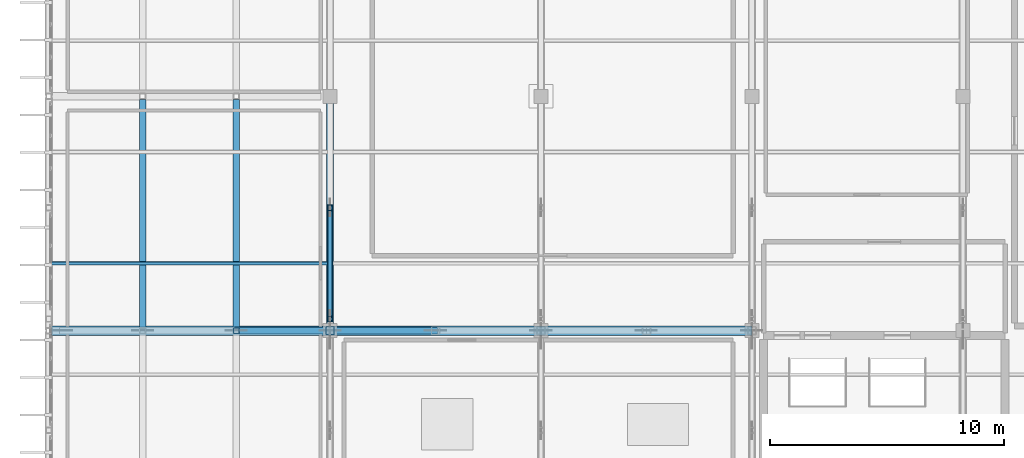
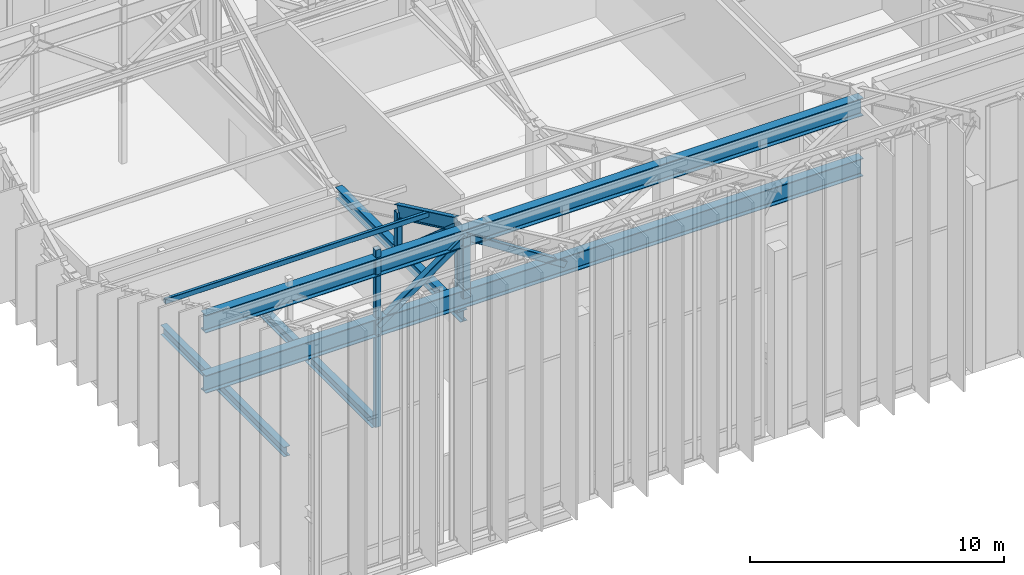
# One storey, part 11 of 68: 8 members, 6 beams.
"""IFC4 building model written with IfcOpenShell, lengths in metres."""

from ifc_helpers import new_model, si_unit, direction, frame, origin, origin_2d, place, context, subcontext, project, spatial, hollow_rectangle, i_section, extrude, material, material_profile, profile_set, type_object, element, save


model = new_model("IFC4")

# Units and contexts
model_context = context("Model", 3, precision=1e-05, world=origin(), true_north=direction((0.0, 1.0)))
body_context = subcontext(model_context, "Body", "Model", "MODEL_VIEW")
ifc_project = project(units=[si_unit("LENGTHUNIT", "METRE"), si_unit("AREAUNIT", "SQUARE_METRE"), si_unit("VOLUMEUNIT", "CUBIC_METRE"), si_unit("PLANEANGLEUNIT", "RADIAN"), si_unit("MASSUNIT", "GRAM", prefix="KILO")], contexts=[model_context])

# Site, building, storey
site_placement = place(None, origin())
site = spatial("IfcSite", under=ifc_project, at=site_placement, CompositionType="ELEMENT")
building_placement = place(site_placement, origin())
building = spatial("IfcBuilding", under=site, at=building_placement, Name="Miravela Opera House", CompositionType="ELEMENT")
storey_placement = place(building_placement, frame((0.0, 0.0, 21.760009765625)))
storey = spatial("IfcBuildingStorey", under=building, at=storey_placement, Name="L05", CompositionType="ELEMENT", Elevation=21.760009765625)

# Beams
ifc_material_1 = material(Name="Structural steel ASTM A992 Gr. 50", Category="steel")
ifc_material_profile_1 = material_profile(ifc_material_1, i_section(OverallWidth=0.280029296875, OverallDepth=0.462890625, WebThickness=0.0107421875, FlangeThickness=0.017333984375, FilletRadius=0.014892578125, at=origin_2d()), Name="W460X113")
ifc_profile_set_1 = profile_set([ifc_material_profile_1])
beam_type_1 = type_object("IfcBeamType", Name="STR-BM-W460X113", PredefinedType="BEAM", material=ifc_profile_set_1)
for number, where, z_axis, x_axis, name in (
    (1, (19.0, 46.14111328125, -0.471435546875), (0.0, 1.0, 0.0), (-1.0, 0.0, 0.0), "Cantilever Overhang Beam L05 X=19"),
    (2, (23.0, 46.14111328125, -0.471435546875), (0.0, 1.0, 0.0), (-1.0, 0.0, 0.0), "Cantilever Overhang Beam L05 X=23"),
):
    element("IfcBeam", number, at=place(storey_placement, frame(where, z_axis=z_axis, x_axis=x_axis)), inside=storey, type_object=beam_type_1, Name=name, PredefinedType="BEAM", context=body_context, shape_type="SweptSolid", body=[
        extrude(i_section(OverallWidth=0.280029296875, OverallDepth=0.462890625, WebThickness=0.0107421875, FlangeThickness=0.017333984375, FilletRadius=0.014892578125, at=origin_2d()), origin(), (0.0, 0.0, 1.0), 9.7177734375),
    ])
ifc_material_profile_2 = material_profile(ifc_material_1, i_section(OverallWidth=0.31201171875, OverallDepth=0.54296875, WebThickness=0.0126953125, FlangeThickness=0.020263671875, FilletRadius=0.01611328125, at=origin_2d()), Name="W530X150")
ifc_profile_set_2 = profile_set([ifc_material_profile_2])
beam_type_2 = type_object("IfcBeamType", Name="STR-BM-W530X150", PredefinedType="BEAM", material=ifc_profile_set_2)
beam_1_placement = place(storey_placement, frame((27.0, 46.080078125, 3.280029296875), z_axis=(0.0, 1.0, 0.0), x_axis=(-1.0, 0.0, 0.0)))
element("IfcBeam", 3, at=beam_1_placement, inside=storey, type_object=beam_type_2, Name="V-Crest Roof Truss Bottom Tie Chord X=27 Seg 2", PredefinedType="BEAM", context=body_context, shape_type="SweptSolid", body=[
    extrude(i_section(OverallWidth=0.31201171875, OverallDepth=0.54296875, WebThickness=0.0126953125, FlangeThickness=0.020263671875, FilletRadius=0.01611328125, at=origin_2d()), origin(), (0.0, 0.0, 1.0), 9.83984375),
])
ifc_material_profile_3 = material_profile(ifc_material_1, i_section(OverallWidth=0.22998046875, OverallDepth=0.616943359375, WebThickness=0.01318359375, FlangeThickness=0.022216796875, FilletRadius=0.01806640625, at=origin_2d()), Name="W610X140")
ifc_profile_set_3 = profile_set([ifc_material_profile_3])
beam_type_3 = type_object("IfcBeamType", Name="STR-BM-W610X140", PredefinedType="BEAM", material=ifc_profile_set_3)
beam_2_placement = place(storey_placement, frame((27.0, 46.5, 7.439453125), z_axis=(0.0, 0.903737838894, -0.428086344739), x_axis=(-1.0, 0.0, 0.0)))
element("IfcBeam", 4, at=beam_2_placement, inside=storey, type_object=beam_type_3, Name="V-Crest Roof Rafter Girder X=27 Seg 3", PredefinedType="BEAM", context=body_context, shape_type="SweptSolid", body=[
    extrude(i_section(OverallWidth=0.22998046875, OverallDepth=0.616943359375, WebThickness=0.01318359375, FlangeThickness=0.022216796875, FilletRadius=0.01806640625, at=origin_2d()), origin(), (0.0, 0.0, 1.0), 5.255859375),
])
ifc_material_profile_4 = material_profile(ifc_material_1, i_section(OverallWidth=0.39990234375, OverallDepth=0.85498046875, WebThickness=0.018310546875, FlangeThickness=0.029296875, FilletRadius=0.02392578125, at=origin_2d()), Name="W840X299")
ifc_profile_set_4 = profile_set([ifc_material_profile_4])
beam_type_4 = type_object("IfcBeamType", Name="STR-BM-W840X299", PredefinedType="BEAM", material=ifc_profile_set_4)
for number, where, z_axis, x_axis, name in (
    (5, (45.0, 46.0, 4.2900390625), (-1.0, 0.0, 0.0), (0.0, -1.0, 0.0), "Cantilever Truss CT-02 Attic Bottom Chord"),
    (6, (45.0, 46.0, 7.18994140625), (-1.0, 0.0, 0.0), (0.0, -1.0, 0.0), "Cantilever Truss CT-02 Attic Top Chord"),
):
    element("IfcBeam", number, at=place(storey_placement, frame(where, z_axis=z_axis, x_axis=x_axis)), inside=storey, type_object=beam_type_4, Name=name, PredefinedType="BEAM", context=body_context, shape_type="SweptSolid", body=[
        extrude(i_section(OverallWidth=0.39990234375, OverallDepth=0.85498046875, WebThickness=0.018310546875, FlangeThickness=0.029296875, FilletRadius=0.02392578125, at=origin_2d()), origin(), (0.0, 0.0, 1.0), 29.889892578125),
    ])

# Members
ifc_material_2 = material(Name="Hollow structural steel ASTM A500 Gr. C", Category="steel")
ifc_material_profile_5 = material_profile(ifc_material_2, hollow_rectangle(XDim=0.300048828125, YDim=0.300048828125, WallThickness=0.01611328125, InnerFilletRadius=0.01611328125, OuterFilletRadius=0.031982421875, at=origin_2d()), Name="HSS300X300X16")
ifc_profile_set_5 = profile_set([ifc_material_profile_5])
member_type_1 = type_object("IfcMemberType", Name="STR-MEM-CANT-DIAG", PredefinedType="BRACE", material=ifc_profile_set_5)
member_1_placement = place(storey_placement, frame((23.0, 46.0, 4.2900390625), z_axis=(0.809619836444, 0.0, 0.586954615312), x_axis=(0.0, 1.0, 0.0)))
element("IfcMember", 7, at=member_1_placement, inside=storey, type_object=member_type_1, Name="Cantilever Truss CT-02 Attic Web Diagonal 3", PredefinedType="BRACE", context=body_context, shape_type="SweptSolid", body=[
    extrude(hollow_rectangle(XDim=0.300048828125, YDim=0.300048828125, WallThickness=0.01611328125, InnerFilletRadius=0.01611328125, OuterFilletRadius=0.031982421875, at=origin_2d()), origin(), (0.0, 0.0, 1.0), 4.940673828125),
])
member_2_placement = place(storey_placement, frame((27.0, 46.0, 7.18994140625), z_axis=(0.84057934116, 0.0, -0.541688444786), x_axis=(0.0, 1.0, 0.0)))
element("IfcMember", 8, at=member_2_placement, inside=storey, type_object=member_type_1, Name="Cantilever Truss CT-02 Attic Web Diagonal 4", PredefinedType="BRACE", context=body_context, shape_type="SweptSolid", body=[
    extrude(hollow_rectangle(XDim=0.300048828125, YDim=0.300048828125, WallThickness=0.01611328125, InnerFilletRadius=0.01611328125, OuterFilletRadius=0.031982421875, at=origin_2d()), origin(), (0.0, 0.0, 1.0), 5.353515625),
])
ifc_material_profile_6 = material_profile(ifc_material_2, hollow_rectangle(XDim=0.35009765625, YDim=0.35009765625, WallThickness=0.01611328125, InnerFilletRadius=0.01611328125, OuterFilletRadius=0.031982421875, at=origin_2d()), Name="HSS350X350X16")
ifc_profile_set_6 = profile_set([ifc_material_profile_6])
member_type_2 = type_object("IfcMemberType", Name="STR-MEM-CANT-POST", PredefinedType="POST", material=ifc_profile_set_6)
member_3_placement = place(storey_placement, frame((27.0, 46.0, 4.2900390625), z_axis=(0.0, 0.0, 1.0), x_axis=(1.0, 0.0, 0.0)))
element("IfcMember", 9, at=member_3_placement, inside=storey, type_object=member_type_2, Name="Cantilever Truss CT-02 Attic Post X=27.0", PredefinedType="POST", context=body_context, shape_type="SweptSolid", body=[
    extrude(hollow_rectangle(XDim=0.35009765625, YDim=0.35009765625, WallThickness=0.01611328125, InnerFilletRadius=0.01611328125, OuterFilletRadius=0.031982421875, at=origin_2d()), origin(), (0.0, 0.0, 1.0), 2.89990234375),
])
ifc_material_profile_7 = material_profile(ifc_material_2, hollow_rectangle(XDim=0.25, YDim=0.25, WallThickness=0.011962890625, InnerFilletRadius=0.011962890625, OuterFilletRadius=0.02392578125, at=origin_2d()), Name="HSS250X250X12")
ifc_profile_set_7 = profile_set([ifc_material_profile_7])
member_type_3 = type_object("IfcMemberType", Name="STR-MEM-CANT-POST2", PredefinedType="POST", material=ifc_profile_set_7)
member_4_placement = place(storey_placement, frame((23.0, 46.0, -0.5400390625), z_axis=(0.0, 0.0, 1.0), x_axis=(1.0, 0.0, 0.0)))
element("IfcMember", 10, at=member_4_placement, inside=storey, type_object=member_type_3, Name="Upper Wrapper Truss Post L05 X=23.0", PredefinedType="POST", context=body_context, shape_type="SweptSolid", body=[
    extrude(hollow_rectangle(XDim=0.25, YDim=0.25, WallThickness=0.011962890625, InnerFilletRadius=0.011962890625, OuterFilletRadius=0.02392578125, at=origin_2d()), origin(), (0.0, 0.0, 1.0), 8.52685546875),
])
member_5_placement = place(storey_placement, frame((27.0, 46.5, 3.280029296875), z_axis=(0.0, 0.0, 1.0), x_axis=(1.0, 0.0, 0.0)))
element("IfcMember", 11, at=member_5_placement, inside=storey, type_object=member_type_3, Name="V-Crest Roof Truss Panel Post X=27 Node 2", PredefinedType="POST", context=body_context, shape_type="SweptSolid", body=[
    extrude(hollow_rectangle(XDim=0.25, YDim=0.25, WallThickness=0.011962890625, InnerFilletRadius=0.011962890625, OuterFilletRadius=0.02392578125, at=origin_2d()), origin(), (0.0, 0.0, 1.0), 4.159912109375),
])
member_6_placement = place(storey_placement, frame((27.0, 51.25, 3.280029296875), z_axis=(0.0, 0.0, 1.0), x_axis=(1.0, 0.0, 0.0)))
element("IfcMember", 12, at=member_6_placement, inside=storey, type_object=member_type_3, Name="V-Crest Roof Truss Panel Post X=27 Node 3", PredefinedType="POST", context=body_context, shape_type="SweptSolid", body=[
    extrude(hollow_rectangle(XDim=0.25, YDim=0.25, WallThickness=0.011962890625, InnerFilletRadius=0.011962890625, OuterFilletRadius=0.02392578125, at=origin_2d()), origin(), (0.0, 0.0, 1.0), 1.909912109375),
])
ifc_material_profile_8 = material_profile(ifc_material_2, hollow_rectangle(XDim=0.14990234375, YDim=0.25, WallThickness=0.011962890625, InnerFilletRadius=0.011962890625, OuterFilletRadius=0.02392578125, at=origin_2d()), Name="HSS250X150X12")
ifc_profile_set_8 = profile_set([ifc_material_profile_8])
member_type_4 = type_object("IfcMemberType", Name="STR-MEM-PURLIN-1", PredefinedType="PURLIN", material=ifc_profile_set_8)
member_7_placement = place(storey_placement, frame((15.010009765625, 48.875, 6.494873046875), z_axis=(1.0, 0.0, 0.0), x_axis=(0.0, 1.0, 0.0)))
element("IfcMember", 13, at=member_7_placement, inside=storey, type_object=member_type_4, Name="V-Roof Steel Purlin B3.1", PredefinedType="PURLIN", context=body_context, shape_type="SweptSolid", body=[
    extrude(hollow_rectangle(XDim=0.14990234375, YDim=0.25, WallThickness=0.011962890625, InnerFilletRadius=0.011962890625, OuterFilletRadius=0.02392578125, at=origin_2d()), origin(), (0.0, 0.0, 1.0), 11.97998046875),
])
ifc_material_profile_9 = material_profile(ifc_material_2, hollow_rectangle(XDim=0.199951171875, YDim=0.199951171875, WallThickness=0.010009765625, InnerFilletRadius=0.010009765625, OuterFilletRadius=0.02001953125, at=origin_2d()), Name="HSS200X200X10")
ifc_profile_set_9 = profile_set([ifc_material_profile_9])
member_type_5 = type_object("IfcMemberType", Name="STR-MEM-WEDGE-WEB", PredefinedType="BRACE", material=ifc_profile_set_9)
member_8_placement = place(storey_placement, frame((27.0, 51.25, 3.280029296875), z_axis=(0.0, -0.752289193007, 0.658833036577), x_axis=(1.0, 0.0, 0.0)))
element("IfcMember", 14, at=member_8_placement, inside=storey, type_object=member_type_5, Name="V-Crest Roof Truss Web Diagonal X=27 Bay 3", PredefinedType="BRACE", context=body_context, shape_type="SweptSolid", body=[
    extrude(hollow_rectangle(XDim=0.199951171875, YDim=0.199951171875, WallThickness=0.010009765625, InnerFilletRadius=0.010009765625, OuterFilletRadius=0.02001953125, at=origin_2d()), origin(), (0.0, 0.0, 1.0), 6.31396484375),
])

save(model, "model.ifc")
